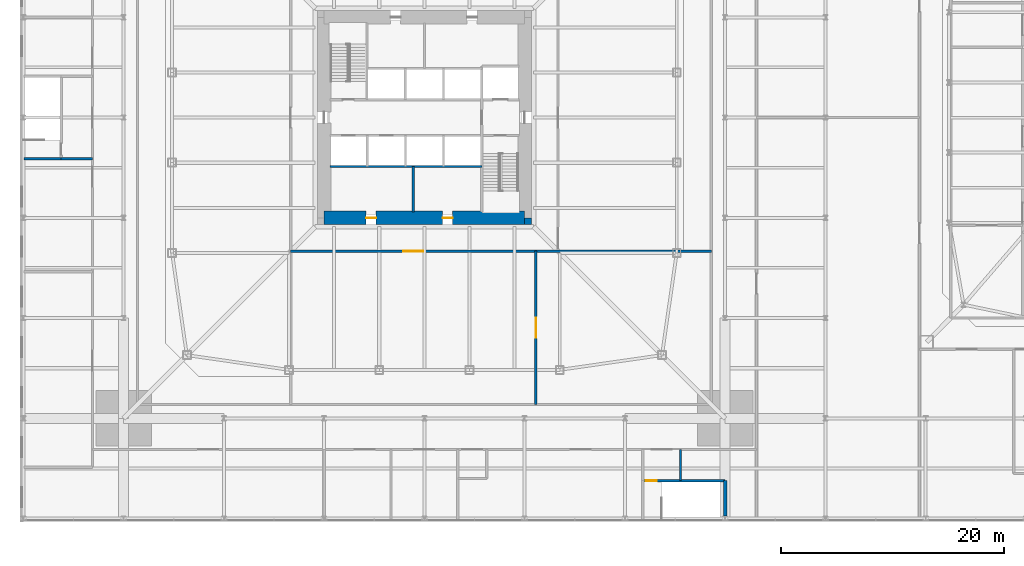
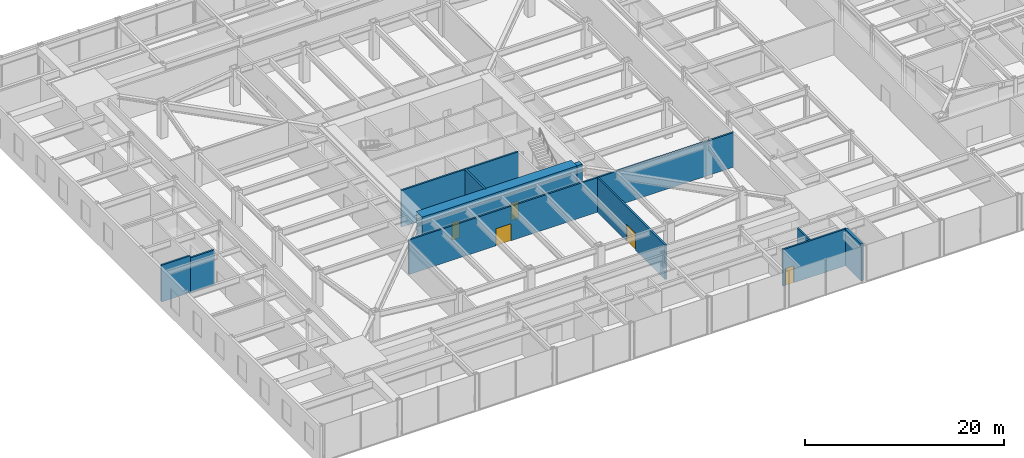
# One storey, part 20 of 30: 11 walls, 5 doors, 5 openings.
"""IFC4 building model written with IfcOpenShell, lengths in metres."""

from ifc_helpers import new_model, si_unit, direction, frame, frame_2d, origin, place, context, subcontext, project, spatial, rectangle, extrude, material, layer, layer_set, type_object, element, fill, save


model = new_model("IFC4")

# Units and contexts
model_context = context("Model", 3, precision=1e-05, world=origin(), true_north=direction((0.0, 1.0)))
body_context = subcontext(model_context, "Body", "Model", "MODEL_VIEW")
ifc_project = project(units=[si_unit("LENGTHUNIT", "METRE"), si_unit("AREAUNIT", "SQUARE_METRE"), si_unit("VOLUMEUNIT", "CUBIC_METRE"), si_unit("PLANEANGLEUNIT", "RADIAN"), si_unit("MASSUNIT", "GRAM", prefix="KILO")], contexts=[model_context])

# Site, building, storey
site_placement = place(None, origin())
site = spatial("IfcSite", under=ifc_project, at=site_placement, CompositionType="ELEMENT")
building_placement = place(site_placement, origin())
building = spatial("IfcBuilding", under=site, at=building_placement, Name="Iwan Alto Co-Living Towers", CompositionType="ELEMENT")
storey_placement = place(building_placement, frame((0.0, 0.0, 10.5)))
storey = spatial("IfcBuildingStorey", under=building, at=storey_placement, Name="L02", CompositionType="ELEMENT", Elevation=10.5)

# Wall, opening, door
ifc_material_1 = material(Name="Concrete block masonry f*p 10 MPa", Category="masonry")
ifc_layer_1 = layer(ifc_material_1, 0.199951171875)
ifc_layer_set_1 = layer_set([ifc_layer_1], Name="PODIUM INTERNAL WALL 200")
wall_type_1 = type_object("IfcWallType", Name="PODIUM INTERNAL WALL 200", PredefinedType="SOLIDWALL", material=ifc_layer_set_1)
wall_1_placement = place(storey_placement, frame((-12.0, -12.0, 0.0), z_axis=(0.0, 0.0, 1.0), x_axis=(1.0, 0.0, 0.0)))
wall_1 = element("IfcWall", 1, at=wall_1_placement, inside=storey, type_object=wall_type_1, Name="Partition L02", PredefinedType="SOLIDWALL", context=body_context, shape_type="SweptSolid", body=[
    extrude(rectangle(XDim=37.75, YDim=0.199951171875, at=frame_2d((18.875, 0.0))), origin(), (0.0, 0.0, 1.0), 4.25),
])
opening_1_placement = place(wall_1_placement, frame((10.10009765625, 0.0, 0.0)))
opening_1 = element("IfcOpeningElement", 2, at=opening_1_placement, cuts=wall_1, Name="Opening D9", PredefinedType="OPENING", context=body_context, shape_type="SweptSolid", body=[
    extrude(rectangle(XDim=1.800048828125, YDim=2.10009765625, at=frame_2d((0.89990234375, 1.050048828125))), frame((0.0, 0.10986328125, 0.0), z_axis=(0.0, -1.0, 0.0), x_axis=(1.0, 0.0, 0.0)), (0.0, 0.0, 1.0), 0.219970703125),
])
ifc_material_2 = material(Name="Steel frame with timber leaf", Category="steel")
door_type_1 = type_object("IfcDoorType", Name="LOUNGE DOOR FD30S 1800X2100", OperationType="DOUBLE_DOOR_SINGLE_SWING", PredefinedType="DOOR", material=ifc_material_2)
door_1_placement = place(opening_1_placement, frame((1.800048828125, 0.0, 0.0), z_axis=(0.0, 0.0, 1.0), x_axis=(-1.0, 0.0, 0.0)))
door_1 = element("IfcDoor", 3, at=door_1_placement, inside=storey, type_object=door_type_1, Name="Library door L02", OperationType="DOUBLE_DOOR_SINGLE_SWING", OverallHeight=2.10009765625, OverallWidth=1.800048828125, PredefinedType="DOOR", context=body_context, shape_type="SweptSolid", body=[
    extrude(rectangle(XDim=1.800048828125, YDim=2.10009765625, at=frame_2d((0.89990234375, 1.050048828125))), frame((0.0, 0.02490234375, 0.0), z_axis=(0.0, -1.0, 0.0), x_axis=(1.0, 0.0, 0.0)), (0.0, 0.0, 1.0), 0.050048828125),
])
fill(opening_1, door_1)

# Walls
for number, where, z_axis, x_axis, name in (
    (4, (-32.60009765625, -3.699951171875, 0.0), (0.0, 0.0, 1.0), (1.0, 0.0, 0.0), "Partition L02"),
    (5, (23.0, -32.60009765625, 0.0), (0.0, 0.0, 1.0), (0.0, 1.0, 0.0), "Partition L02"),
):
    element("IfcWall", number, at=place(storey_placement, frame(where, z_axis=z_axis, x_axis=x_axis)), inside=storey, type_object=wall_type_1, Name=name, PredefinedType="SOLIDWALL", context=body_context, shape_type="SweptSolid", body=[
        extrude(rectangle(XDim=2.800048828125, YDim=0.199951171875, at=frame_2d((1.39990234375, 0.0))), origin(), (0.0, 0.0, 1.0), 4.25),
    ])

# Wall, opening, door
wall_2_placement = place(storey_placement, frame((10.0, -25.75, 0.0), z_axis=(0.0, 0.0, 1.0), x_axis=(0.0, 1.0, 0.0)))
wall_2 = element("IfcWall", 6, at=wall_2_placement, inside=storey, type_object=wall_type_1, Name="Partition L02", PredefinedType="SOLIDWALL", context=body_context, shape_type="SweptSolid", body=[
    extrude(rectangle(XDim=13.75, YDim=0.199951171875, at=frame_2d((6.875, 0.0))), origin(), (0.0, 0.0, 1.0), 4.25),
])
opening_2_placement = place(wall_2_placement, frame((5.97509765625, 0.0, 0.0)))
opening_2 = element("IfcOpeningElement", 7, at=opening_2_placement, cuts=wall_2, Name="Opening D9", PredefinedType="OPENING", context=body_context, shape_type="SweptSolid", body=[
    extrude(rectangle(XDim=1.800048828125, YDim=2.10009765625, at=frame_2d((0.89990234375, 1.050048828125))), frame((0.0, 0.10986328125, 0.0), z_axis=(0.0, -1.0, 0.0), x_axis=(1.0, 0.0, 0.0)), (0.0, 0.0, 1.0), 0.219970703125),
])
door_2_placement = place(opening_2_placement, origin())
door_2 = element("IfcDoor", 8, at=door_2_placement, inside=storey, type_object=door_type_1, Name="Study lounge door L02", OperationType="DOUBLE_DOOR_SINGLE_SWING", OverallHeight=2.10009765625, OverallWidth=1.800048828125, PredefinedType="DOOR", context=body_context, shape_type="SweptSolid", body=[
    extrude(rectangle(XDim=1.800048828125, YDim=2.10009765625, at=frame_2d((0.89990234375, 1.050048828125))), frame((0.0, 0.02490234375, 0.0), z_axis=(0.0, -1.0, 0.0), x_axis=(1.0, 0.0, 0.0)), (0.0, 0.0, 1.0), 0.050048828125),
])
fill(opening_2, door_2)

ifc_material_3 = material(Name="Concrete f'c 70 MPa", Category="concrete")
ifc_layer_2 = layer(ifc_material_3, 0.199951171875)
ifc_layer_set_2 = layer_set([ifc_layer_2], Name="SHAFT WALL 200")
wall_type_2 = type_object("IfcWallType", Name="SHAFT WALL 200", PredefinedType="SOLIDWALL", material=ifc_layer_set_2)
wall_3_placement = place(storey_placement, frame((19.60009765625, -32.60009765625, 0.0), z_axis=(0.0, 0.0, 1.0), x_axis=(1.0, 0.0, 0.0)))
wall_3 = element("IfcWall", 9, at=wall_3_placement, inside=storey, type_object=wall_type_2, Name="Shaft wall L02", PredefinedType="SOLIDWALL", context=body_context, shape_type="SweptSolid", body=[
    extrude(rectangle(XDim=7.39990234375, YDim=0.199951171875, at=frame_2d((3.699951171875, 0.0))), origin(), (0.0, 0.0, 1.0), 4.5),
])
opening_3_placement = place(wall_3_placement, frame((0.25, 0.0, 0.0)))
opening_3 = element("IfcOpeningElement", 10, at=opening_3_placement, cuts=wall_3, Name="Opening D5", PredefinedType="OPENING", context=body_context, shape_type="SweptSolid", body=[
    extrude(rectangle(XDim=1.0, YDim=2.10009765625, at=frame_2d((0.5, 1.050048828125))), frame((0.0, 0.10986328125, 0.0), z_axis=(0.0, -1.0, 0.0), x_axis=(1.0, 0.0, 0.0)), (0.0, 0.0, 1.0), 0.219970703125),
])
ifc_material_4 = material(Name="Steel frame with timber leaf", Category="steel")
door_type_2 = type_object("IfcDoorType", Name="STAIR DOOR FD120S 1000X2100", OperationType="SINGLE_SWING_LEFT", PredefinedType="DOOR", material=ifc_material_4)
door_3_placement = place(opening_3_placement, frame((1.0, 0.0, 0.0), z_axis=(0.0, 0.0, 1.0), x_axis=(-1.0, 0.0, 0.0)))
door_3 = element("IfcDoor", 11, at=door_3_placement, inside=storey, type_object=door_type_2, Name="Stair PS4 door L02", OperationType="SINGLE_SWING_RIGHT", OverallHeight=2.10009765625, OverallWidth=1.0, PredefinedType="DOOR", context=body_context, shape_type="SweptSolid", body=[
    extrude(rectangle(XDim=1.0, YDim=2.10009765625, at=frame_2d((0.5, 1.050048828125))), frame((0.0, 0.02490234375, 0.0), z_axis=(0.0, -1.0, 0.0), x_axis=(1.0, 0.0, 0.0)), (0.0, 0.0, 1.0), 0.050048828125),
])
fill(opening_3, door_3)

# Walls
wall_4_placement = place(storey_placement, frame((-8.489990234375, -4.39990234375, 0.0), z_axis=(0.0, 0.0, 1.0), x_axis=(1.0, 0.0, 0.0)))
element("IfcWall", 12, at=wall_4_placement, inside=storey, type_object=wall_type_2, Name="Shaft wall L02", PredefinedType="SOLIDWALL", context=body_context, shape_type="SweptSolid", body=[
    extrude(rectangle(XDim=13.639892578125, YDim=0.199951171875, at=frame_2d((6.81982421875, 0.0))), origin(), (0.0, 0.0, 1.0), 4.5),
])
wall_5_placement = place(storey_placement, frame((-35.93994140625, -3.699951171875, 0.0), z_axis=(0.0, 0.0, 1.0), x_axis=(1.0, 0.0, 0.0)))
element("IfcWall", 13, at=wall_5_placement, inside=storey, type_object=wall_type_2, Name="Shaft wall L02", PredefinedType="SOLIDWALL", context=body_context, shape_type="SweptSolid", body=[
    extrude(rectangle(XDim=3.33984375, YDim=0.199951171875, at=frame_2d((1.669921875, 0.0))), origin(), (0.0, 0.0, 1.0), 4.5),
])
wall_6_placement = place(storey_placement, frame((-1.0, -8.489990234375, 0.0), z_axis=(0.0, 0.0, 1.0), x_axis=(0.0, 1.0, 0.0)))
element("IfcWall", 14, at=wall_6_placement, inside=storey, type_object=wall_type_2, Name="Shaft wall L02", PredefinedType="SOLIDWALL", context=body_context, shape_type="SweptSolid", body=[
    extrude(rectangle(XDim=4.090087890625, YDim=0.199951171875, at=frame_2d((2.044921875, 0.0))), origin(), (0.0, 0.0, 1.0), 4.5),
])
ifc_material_5 = material(Name="Concrete f'c 70 MPa", Category="concrete")
ifc_layer_3 = layer(ifc_material_5, 0.300048828125)
ifc_layer_set_3 = layer_set([ifc_layer_3], Name="SHAFT WALL 300")
wall_type_3 = type_object("IfcWallType", Name="SHAFT WALL 300", PredefinedType="SOLIDWALL", material=ifc_layer_set_3)
wall_7_placement = place(storey_placement, frame((27.0, -35.78271484375, 0.0), z_axis=(0.0, 0.0, 1.0), x_axis=(0.0, 1.0, 0.0)))
element("IfcWall", 15, at=wall_7_placement, inside=storey, type_object=wall_type_3, Name="Shaft wall L02", PredefinedType="SOLIDWALL", context=body_context, shape_type="SweptSolid", body=[
    extrude(rectangle(XDim=3.1826171875, YDim=0.300048828125, at=frame_2d((1.59130859375, 0.0))), origin(), (0.0, 0.0, 1.0), 4.5),
])
ifc_material_6 = material(Name="Concrete f'c 70 MPa", Category="concrete")
ifc_layer_4 = layer(ifc_material_6, 0.60009765625)
ifc_layer_set_4 = layer_set([ifc_layer_4], Name="T1 CORE CORNER FILL 600")
wall_type_4 = type_object("IfcWallType", Name="T1 CORE CORNER FILL 600", PredefinedType="SOLIDWALL", material=ifc_layer_set_4)
wall_8_placement = place(storey_placement, frame((9.0, -9.300048828125, 0.0), z_axis=(0.0, 0.0, 1.0), x_axis=(1.0, 0.0, 0.0)))
element("IfcWall", 16, at=wall_8_placement, inside=storey, type_object=wall_type_4, Name="T1 core corner SE L02", PredefinedType="SOLIDWALL", context=body_context, shape_type="SweptSolid", body=[
    extrude(rectangle(XDim=0.60009765625, YDim=0.60009765625, at=frame_2d((0.300048828125, 0.0))), origin(), (0.0, 0.0, 1.0), 4.5),
])

# Wall, openings, doors
ifc_material_7 = material(Name="Concrete f'c 70 MPa", Category="concrete")
ifc_layer_5 = layer(ifc_material_7, 1.199951171875)
ifc_layer_set_5 = layer_set([ifc_layer_5], Name="T1 CORE WALL 1200")
wall_type_5 = type_object("IfcWallType", Name="T1 CORE WALL 1200", PredefinedType="SHEAR", material=ifc_layer_set_5)
wall_9_placement = place(storey_placement, frame((-9.0, -9.0, 0.0), z_axis=(0.0, 0.0, 1.0), x_axis=(1.0, 0.0, 0.0)))
wall_9 = element("IfcWall", 17, at=wall_9_placement, inside=storey, type_object=wall_type_5, Name="T1 core wall S L02", PredefinedType="SHEAR", context=body_context, shape_type="SweptSolid", body=[
    extrude(rectangle(XDim=18.0, YDim=1.199951171875, at=frame_2d((9.0, 0.0))), origin(), (0.0, 0.0, 1.0), 4.5),
])
opening_4_placement = place(wall_9_placement, frame((3.77490234375, 0.0, 0.0)))
opening_4 = element("IfcOpeningElement", 18, at=opening_4_placement, cuts=wall_9, Name="Opening D8", PredefinedType="OPENING", context=body_context, shape_type="SweptSolid", body=[
    extrude(rectangle(XDim=0.89990234375, YDim=2.10009765625, at=frame_2d((0.449951171875, 1.050048828125))), frame((0.0, 0.60986328125, 0.0), z_axis=(0.0, -1.0, 0.0), x_axis=(1.0, 0.0, 0.0)), (0.0, 0.0, 1.0), 1.219970703125),
])
opening_5_placement = place(wall_9_placement, frame((10.625, 0.0, 0.0)))
opening_5 = element("IfcOpeningElement", 19, at=opening_5_placement, cuts=wall_9, Name="Opening D8", PredefinedType="OPENING", context=body_context, shape_type="SweptSolid", body=[
    extrude(rectangle(XDim=0.89990234375, YDim=2.10009765625, at=frame_2d((0.449951171875, 1.050048828125))), frame((0.0, 0.60986328125, 0.0), z_axis=(0.0, -1.0, 0.0), x_axis=(1.0, 0.0, 0.0)), (0.0, 0.0, 1.0), 1.219970703125),
])
ifc_material_8 = material(Name="Steel frame with timber leaf", Category="steel")
door_type_3 = type_object("IfcDoorType", Name="RISER DOOR FD120 900X2100", OperationType="SINGLE_SWING_LEFT", PredefinedType="DOOR", material=ifc_material_8)
door_4_placement = place(opening_4_placement, origin())
door_4 = element("IfcDoor", 20, at=door_4_placement, inside=storey, type_object=door_type_3, Name="Refuse room core door L02", OperationType="SINGLE_SWING_LEFT", OverallHeight=2.10009765625, OverallWidth=0.89990234375, PredefinedType="DOOR", context=body_context, shape_type="SweptSolid", body=[
    extrude(rectangle(XDim=0.89990234375, YDim=2.10009765625, at=frame_2d((0.449951171875, 1.050048828125))), frame((0.0, 0.02490234375, 0.0), z_axis=(0.0, -1.0, 0.0), x_axis=(1.0, 0.0, 0.0)), (0.0, 0.0, 1.0), 0.050048828125),
])
fill(opening_4, door_4)
door_5_placement = place(opening_5_placement, origin())
door_5 = element("IfcDoor", 21, at=door_5_placement, inside=storey, type_object=door_type_3, Name="Telecom riser core door L02", OperationType="SINGLE_SWING_LEFT", OverallHeight=2.10009765625, OverallWidth=0.89990234375, PredefinedType="DOOR", context=body_context, shape_type="SweptSolid", body=[
    extrude(rectangle(XDim=0.89990234375, YDim=2.10009765625, at=frame_2d((0.449951171875, 1.050048828125))), frame((0.0, 0.02490234375, 0.0), z_axis=(0.0, -1.0, 0.0), x_axis=(1.0, 0.0, 0.0)), (0.0, 0.0, 1.0), 0.050048828125),
])
fill(opening_5, door_5)

save(model, "model.ifc")
